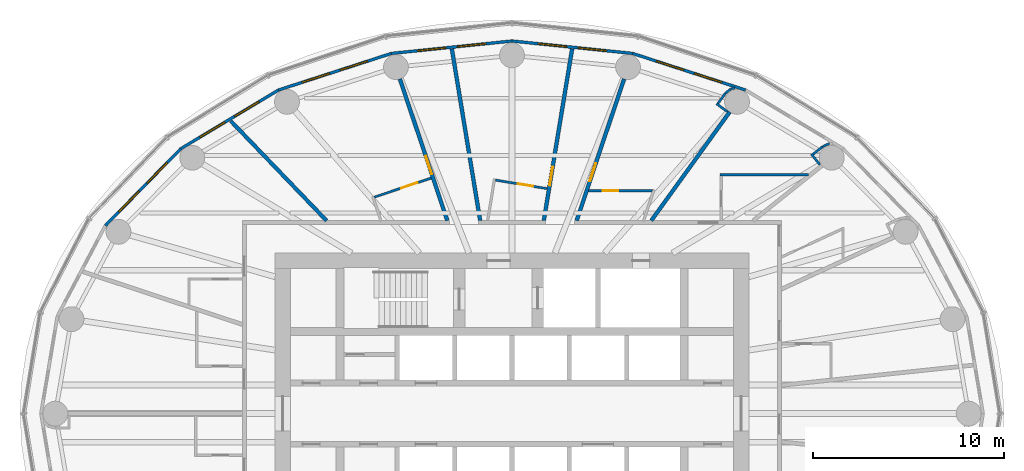
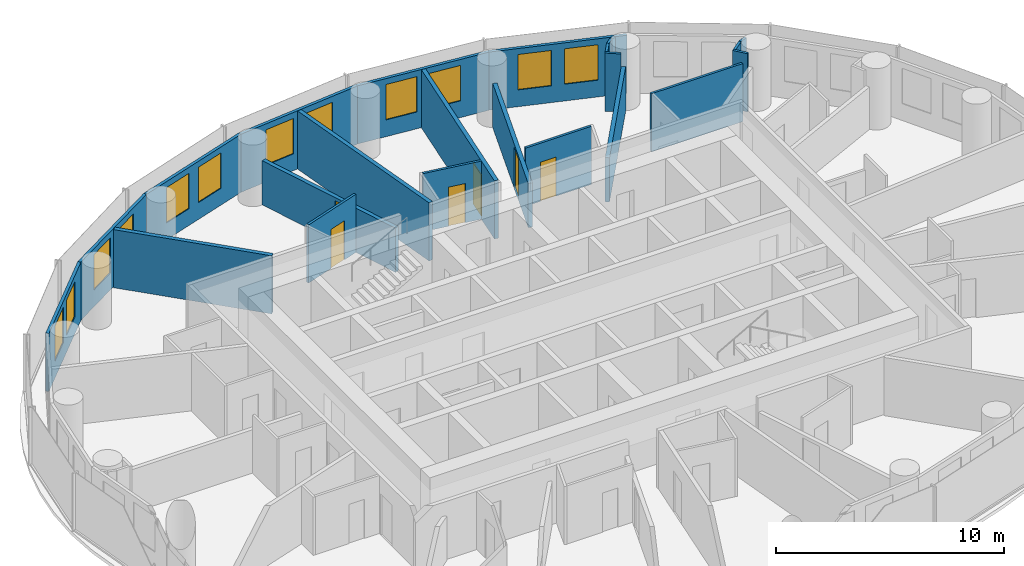
# One storey, part 11 of 13: 23 walls, 12 windows, 6 doors, 18 openings.
"""IFC4 building model written with IfcOpenShell, lengths in metres."""

from ifc_helpers import new_model, si_unit, direction, frame, frame_2d, origin, place, context, subcontext, project, spatial, rectangle, extrude, material, layer, layer_set, type_object, element, fill, save


model = new_model("IFC4")

# Units and contexts
model_context = context("Model", 3, precision=1e-05, world=origin(), true_north=direction((0.0, 1.0)))
body_context = subcontext(model_context, "Body", "Model", "MODEL_VIEW")
ifc_project = project(units=[si_unit("LENGTHUNIT", "METRE"), si_unit("AREAUNIT", "SQUARE_METRE"), si_unit("VOLUMEUNIT", "CUBIC_METRE"), si_unit("PLANEANGLEUNIT", "RADIAN"), si_unit("MASSUNIT", "GRAM", prefix="KILO")], contexts=[model_context])

# Site, building, storey
site_placement = place(None, origin())
site = spatial("IfcSite", under=ifc_project, at=site_placement, CompositionType="ELEMENT")
building_placement = place(site_placement, origin())
building = spatial("IfcBuilding", under=site, at=building_placement, Name="Hankou Lantern Tower", CompositionType="ELEMENT")
storey_placement = place(building_placement, frame((0.0, 0.0, 118.800048828125)))
storey = spatial("IfcBuildingStorey", under=building, at=storey_placement, Name="L30", CompositionType="ELEMENT", Elevation=118.800048828125)

# Wall, openings, windows
ifc_material_1 = material(Name="Aluminium spandrel panel on steel studs", Category="steel")
ifc_layer_1 = layer(ifc_material_1, 0.14990234375)
ifc_layer_set_1 = layer_set([ifc_layer_1], Name="Aluminium spandrel panel on steel studs")
wall_type_1 = type_object("IfcWallType", Name="EW1 INNER SKIN WALL 150", PredefinedType="ELEMENTEDWALL", material=ifc_layer_set_1)
wall_1_placement = place(storey_placement, frame((12.221435546875, 16.9345703125, 0.0), z_axis=(0.0, 0.0, 1.0), x_axis=(-0.951272691506, 0.308350881944, 0.0)))
wall_1 = element("IfcWall", 1, at=wall_1_placement, inside=storey, type_object=wall_type_1, Name="Inner skin R05-R06 L30", PredefinedType="ELEMENTEDWALL", context=body_context, shape_type="SweptSolid", body=[
    extrude(rectangle(XDim=6.210693359375, YDim=0.14990234375, at=frame_2d((3.10546875, 0.0))), origin(), (0.0, 0.0, 1.0), 3.119873046875),
])
opening_1_placement = place(wall_1_placement, frame((1.305419921875, 0.0, 0.89990234375)))
opening_1 = element("IfcOpeningElement", 2, at=opening_1_placement, cuts=wall_1, Name="Opening W2", PredefinedType="OPENING", context=body_context, shape_type="SweptSolid", body=[
    extrude(rectangle(XDim=1.5, YDim=1.89990234375, at=frame_2d((0.75, 0.949951171875))), frame((0.0, 0.0849609375, 0.0), z_axis=(0.0, -1.0, 0.0), x_axis=(1.0, 0.0, 0.0)), (0.0, 0.0, 1.0), 0.169921875),
])
opening_2_placement = place(wall_1_placement, frame((3.4052734375, 0.0, 0.89990234375)))
opening_2 = element("IfcOpeningElement", 3, at=opening_2_placement, cuts=wall_1, Name="Opening W2", PredefinedType="OPENING", context=body_context, shape_type="SweptSolid", body=[
    extrude(rectangle(XDim=1.5, YDim=1.89990234375, at=frame_2d((0.75, 0.949951171875))), frame((0.0, 0.0849609375, 0.0), z_axis=(0.0, -1.0, 0.0), x_axis=(1.0, 0.0, 0.0)), (0.0, 0.0, 1.0), 0.169921875),
])
ifc_material_2 = material(Name="Aluminium framed double glazed window", Category="aluminium")
window_type = type_object("IfcWindowType", Name="W2 GUEST ROOM WINDOW 1500X1900", PartitioningType="DOUBLE_PANEL_VERTICAL", PredefinedType="WINDOW", material=ifc_material_2)
window_1_placement = place(opening_1_placement, origin())
window_1 = element("IfcWindow", 4, at=window_1_placement, inside=storey, type_object=window_type, Name="Window R05.1 L30", OverallHeight=1.89990234375, OverallWidth=1.5, PartitioningType="SINGLE_PANEL", PredefinedType="WINDOW", context=body_context, shape_type="SweptSolid", body=[
    extrude(rectangle(XDim=1.5, YDim=1.89990234375, at=frame_2d((0.75, 0.949951171875))), frame((0.0, 0.030029296875, 0.0), z_axis=(0.0, -1.0, 0.0), x_axis=(1.0, 0.0, 0.0)), (0.0, 0.0, 1.0), 0.06005859375),
])
fill(opening_1, window_1)
window_2_placement = place(opening_2_placement, origin())
window_2 = element("IfcWindow", 5, at=window_2_placement, inside=storey, type_object=window_type, Name="Window R05.2 L30", OverallHeight=1.89990234375, OverallWidth=1.5, PartitioningType="SINGLE_PANEL", PredefinedType="WINDOW", context=body_context, shape_type="SweptSolid", body=[
    extrude(rectangle(XDim=1.5, YDim=1.89990234375, at=frame_2d((0.75, 0.949951171875))), frame((0.0, 0.030029296875, 0.0), z_axis=(0.0, -1.0, 0.0), x_axis=(1.0, 0.0, 0.0)), (0.0, 0.0, 1.0), 0.06005859375),
])
fill(opening_2, window_2)

wall_2_placement = place(storey_placement, frame((6.3134765625, 18.849609375, 0.0), z_axis=(0.0, 0.0, 1.0), x_axis=(-0.994735690163, 0.102473931887, 0.0)))
wall_2 = element("IfcWall", 6, at=wall_2_placement, inside=storey, type_object=wall_type_1, Name="Inner skin R06-R07 L30", PredefinedType="ELEMENTEDWALL", context=body_context, shape_type="SweptSolid", body=[
    extrude(rectangle(XDim=6.346923828125, YDim=0.14990234375, at=frame_2d((3.17333984375, 0.0))), origin(), (0.0, 0.0, 1.0), 3.119873046875),
])
opening_3_placement = place(wall_2_placement, frame((1.373291015625, 0.0, 0.89990234375)))
opening_3 = element("IfcOpeningElement", 7, at=opening_3_placement, cuts=wall_2, Name="Opening W2", PredefinedType="OPENING", context=body_context, shape_type="SweptSolid", body=[
    extrude(rectangle(XDim=1.5, YDim=1.89990234375, at=frame_2d((0.75, 0.949951171875))), frame((0.0, 0.0849609375, 0.0), z_axis=(0.0, -1.0, 0.0), x_axis=(1.0, 0.0, 0.0)), (0.0, 0.0, 1.0), 0.169921875),
])
opening_4_placement = place(wall_2_placement, frame((3.473388671875, 0.0, 0.89990234375)))
opening_4 = element("IfcOpeningElement", 8, at=opening_4_placement, cuts=wall_2, Name="Opening W2", PredefinedType="OPENING", context=body_context, shape_type="SweptSolid", body=[
    extrude(rectangle(XDim=1.5, YDim=1.89990234375, at=frame_2d((0.75, 0.949951171875))), frame((0.0, 0.0849609375, 0.0), z_axis=(0.0, -1.0, 0.0), x_axis=(1.0, 0.0, 0.0)), (0.0, 0.0, 1.0), 0.169921875),
])
window_3_placement = place(opening_3_placement, origin())
window_3 = element("IfcWindow", 9, at=window_3_placement, inside=storey, type_object=window_type, Name="Window R06.1 L30", OverallHeight=1.89990234375, OverallWidth=1.5, PartitioningType="SINGLE_PANEL", PredefinedType="WINDOW", context=body_context, shape_type="SweptSolid", body=[
    extrude(rectangle(XDim=1.5, YDim=1.89990234375, at=frame_2d((0.75, 0.949951171875))), frame((0.0, 0.030029296875, 0.0), z_axis=(0.0, -1.0, 0.0), x_axis=(1.0, 0.0, 0.0)), (0.0, 0.0, 1.0), 0.06005859375),
])
fill(opening_3, window_3)
window_4_placement = place(opening_4_placement, origin())
window_4 = element("IfcWindow", 10, at=window_4_placement, inside=storey, type_object=window_type, Name="Window R06.2 L30", OverallHeight=1.89990234375, OverallWidth=1.5, PartitioningType="SINGLE_PANEL", PredefinedType="WINDOW", context=body_context, shape_type="SweptSolid", body=[
    extrude(rectangle(XDim=1.5, YDim=1.89990234375, at=frame_2d((0.75, 0.949951171875))), frame((0.0, 0.030029296875, 0.0), z_axis=(0.0, -1.0, 0.0), x_axis=(1.0, 0.0, 0.0)), (0.0, 0.0, 1.0), 0.06005859375),
])
fill(opening_4, window_4)

wall_3_placement = place(storey_placement, frame((0.0, 19.5, 0.0), z_axis=(0.0, 0.0, 1.0), x_axis=(-0.994735690163, -0.102473931887, 0.0)))
wall_3 = element("IfcWall", 11, at=wall_3_placement, inside=storey, type_object=wall_type_1, Name="Inner skin R07-R08 L30", PredefinedType="ELEMENTEDWALL", context=body_context, shape_type="SweptSolid", body=[
    extrude(rectangle(XDim=6.346923828125, YDim=0.14990234375, at=frame_2d((3.17333984375, 0.0))), origin(), (0.0, 0.0, 1.0), 3.119873046875),
])
opening_5_placement = place(wall_3_placement, frame((1.373291015625, 0.0, 0.89990234375)))
opening_5 = element("IfcOpeningElement", 12, at=opening_5_placement, cuts=wall_3, Name="Opening W2", PredefinedType="OPENING", context=body_context, shape_type="SweptSolid", body=[
    extrude(rectangle(XDim=1.5, YDim=1.89990234375, at=frame_2d((0.75, 0.949951171875))), frame((0.0, 0.0849609375, 0.0), z_axis=(0.0, -1.0, 0.0), x_axis=(1.0, 0.0, 0.0)), (0.0, 0.0, 1.0), 0.169921875),
])
opening_6_placement = place(wall_3_placement, frame((3.473388671875, 0.0, 0.89990234375)))
opening_6 = element("IfcOpeningElement", 13, at=opening_6_placement, cuts=wall_3, Name="Opening W2", PredefinedType="OPENING", context=body_context, shape_type="SweptSolid", body=[
    extrude(rectangle(XDim=1.5, YDim=1.89990234375, at=frame_2d((0.75, 0.949951171875))), frame((0.0, 0.0849609375, 0.0), z_axis=(0.0, -1.0, 0.0), x_axis=(1.0, 0.0, 0.0)), (0.0, 0.0, 1.0), 0.169921875),
])
window_5_placement = place(opening_5_placement, origin())
window_5 = element("IfcWindow", 14, at=window_5_placement, inside=storey, type_object=window_type, Name="Window R07.1 L30", OverallHeight=1.89990234375, OverallWidth=1.5, PartitioningType="SINGLE_PANEL", PredefinedType="WINDOW", context=body_context, shape_type="SweptSolid", body=[
    extrude(rectangle(XDim=1.5, YDim=1.89990234375, at=frame_2d((0.75, 0.949951171875))), frame((0.0, 0.030029296875, 0.0), z_axis=(0.0, -1.0, 0.0), x_axis=(1.0, 0.0, 0.0)), (0.0, 0.0, 1.0), 0.06005859375),
])
fill(opening_5, window_5)
window_6_placement = place(opening_6_placement, origin())
window_6 = element("IfcWindow", 15, at=window_6_placement, inside=storey, type_object=window_type, Name="Window R07.2 L30", OverallHeight=1.89990234375, OverallWidth=1.5, PartitioningType="SINGLE_PANEL", PredefinedType="WINDOW", context=body_context, shape_type="SweptSolid", body=[
    extrude(rectangle(XDim=1.5, YDim=1.89990234375, at=frame_2d((0.75, 0.949951171875))), frame((0.0, 0.030029296875, 0.0), z_axis=(0.0, -1.0, 0.0), x_axis=(1.0, 0.0, 0.0)), (0.0, 0.0, 1.0), 0.06005859375),
])
fill(opening_6, window_6)

wall_4_placement = place(storey_placement, frame((-6.3134765625, 18.849609375, 0.0), z_axis=(0.0, 0.0, 1.0), x_axis=(-0.951272691506, -0.308350881944, 0.0)))
wall_4 = element("IfcWall", 16, at=wall_4_placement, inside=storey, type_object=wall_type_1, Name="Inner skin R08-R09 L30", PredefinedType="ELEMENTEDWALL", context=body_context, shape_type="SweptSolid", body=[
    extrude(rectangle(XDim=6.210693359375, YDim=0.14990234375, at=frame_2d((3.10546875, 0.0))), origin(), (0.0, 0.0, 1.0), 3.119873046875),
])
opening_7_placement = place(wall_4_placement, frame((1.305419921875, 0.0, 0.89990234375)))
opening_7 = element("IfcOpeningElement", 17, at=opening_7_placement, cuts=wall_4, Name="Opening W2", PredefinedType="OPENING", context=body_context, shape_type="SweptSolid", body=[
    extrude(rectangle(XDim=1.5, YDim=1.89990234375, at=frame_2d((0.75, 0.949951171875))), frame((0.0, 0.0849609375, 0.0), z_axis=(0.0, -1.0, 0.0), x_axis=(1.0, 0.0, 0.0)), (0.0, 0.0, 1.0), 0.169921875),
])
opening_8_placement = place(wall_4_placement, frame((3.4052734375, 0.0, 0.89990234375)))
opening_8 = element("IfcOpeningElement", 18, at=opening_8_placement, cuts=wall_4, Name="Opening W2", PredefinedType="OPENING", context=body_context, shape_type="SweptSolid", body=[
    extrude(rectangle(XDim=1.5, YDim=1.89990234375, at=frame_2d((0.75, 0.949951171875))), frame((0.0, 0.0849609375, 0.0), z_axis=(0.0, -1.0, 0.0), x_axis=(1.0, 0.0, 0.0)), (0.0, 0.0, 1.0), 0.169921875),
])
window_7_placement = place(opening_7_placement, origin())
window_7 = element("IfcWindow", 19, at=window_7_placement, inside=storey, type_object=window_type, Name="Window R08.1 L30", OverallHeight=1.89990234375, OverallWidth=1.5, PartitioningType="SINGLE_PANEL", PredefinedType="WINDOW", context=body_context, shape_type="SweptSolid", body=[
    extrude(rectangle(XDim=1.5, YDim=1.89990234375, at=frame_2d((0.75, 0.949951171875))), frame((0.0, 0.030029296875, 0.0), z_axis=(0.0, -1.0, 0.0), x_axis=(1.0, 0.0, 0.0)), (0.0, 0.0, 1.0), 0.06005859375),
])
fill(opening_7, window_7)
window_8_placement = place(opening_8_placement, origin())
window_8 = element("IfcWindow", 20, at=window_8_placement, inside=storey, type_object=window_type, Name="Window R08.2 L30", OverallHeight=1.89990234375, OverallWidth=1.5, PartitioningType="SINGLE_PANEL", PredefinedType="WINDOW", context=body_context, shape_type="SweptSolid", body=[
    extrude(rectangle(XDim=1.5, YDim=1.89990234375, at=frame_2d((0.75, 0.949951171875))), frame((0.0, 0.030029296875, 0.0), z_axis=(0.0, -1.0, 0.0), x_axis=(1.0, 0.0, 0.0)), (0.0, 0.0, 1.0), 0.06005859375),
])
fill(opening_8, window_8)

wall_5_placement = place(storey_placement, frame((-12.221435546875, 16.9345703125, 0.0), z_axis=(0.0, 0.0, 1.0), x_axis=(-0.857308573723, -0.514802884044, 0.0)))
wall_5 = element("IfcWall", 21, at=wall_5_placement, inside=storey, type_object=wall_type_1, Name="Inner skin R09-R10 L30", PredefinedType="ELEMENTEDWALL", context=body_context, shape_type="SweptSolid", body=[
    extrude(rectangle(XDim=5.961181640625, YDim=0.14990234375, at=frame_2d((2.98046875, 0.0))), origin(), (0.0, 0.0, 1.0), 3.119873046875),
])
opening_9_placement = place(wall_5_placement, frame((1.1806640625, 0.0, 0.89990234375)))
opening_9 = element("IfcOpeningElement", 22, at=opening_9_placement, cuts=wall_5, Name="Opening W2", PredefinedType="OPENING", context=body_context, shape_type="SweptSolid", body=[
    extrude(rectangle(XDim=1.5, YDim=1.89990234375, at=frame_2d((0.75, 0.949951171875))), frame((0.0, 0.0849609375, 0.0), z_axis=(0.0, -1.0, 0.0), x_axis=(1.0, 0.0, 0.0)), (0.0, 0.0, 1.0), 0.169921875),
])
opening_10_placement = place(wall_5_placement, frame((3.280517578125, 0.0, 0.89990234375)))
opening_10 = element("IfcOpeningElement", 23, at=opening_10_placement, cuts=wall_5, Name="Opening W2", PredefinedType="OPENING", context=body_context, shape_type="SweptSolid", body=[
    extrude(rectangle(XDim=1.5, YDim=1.89990234375, at=frame_2d((0.75, 0.949951171875))), frame((0.0, 0.0849609375, 0.0), z_axis=(0.0, -1.0, 0.0), x_axis=(1.0, 0.0, 0.0)), (0.0, 0.0, 1.0), 0.169921875),
])
window_9_placement = place(opening_9_placement, origin())
window_9 = element("IfcWindow", 24, at=window_9_placement, inside=storey, type_object=window_type, Name="Window R09.1 L30", OverallHeight=1.89990234375, OverallWidth=1.5, PartitioningType="SINGLE_PANEL", PredefinedType="WINDOW", context=body_context, shape_type="SweptSolid", body=[
    extrude(rectangle(XDim=1.5, YDim=1.89990234375, at=frame_2d((0.75, 0.949951171875))), frame((0.0, 0.030029296875, 0.0), z_axis=(0.0, -1.0, 0.0), x_axis=(1.0, 0.0, 0.0)), (0.0, 0.0, 1.0), 0.06005859375),
])
fill(opening_9, window_9)
window_10_placement = place(opening_10_placement, origin())
window_10 = element("IfcWindow", 25, at=window_10_placement, inside=storey, type_object=window_type, Name="Window R09.2 L30", OverallHeight=1.89990234375, OverallWidth=1.5, PartitioningType="SINGLE_PANEL", PredefinedType="WINDOW", context=body_context, shape_type="SweptSolid", body=[
    extrude(rectangle(XDim=1.5, YDim=1.89990234375, at=frame_2d((0.75, 0.949951171875))), frame((0.0, 0.030029296875, 0.0), z_axis=(0.0, -1.0, 0.0), x_axis=(1.0, 0.0, 0.0)), (0.0, 0.0, 1.0), 0.06005859375),
])
fill(opening_10, window_10)

wall_6_placement = place(storey_placement, frame((-17.33203125, 13.86572265625, 0.0), z_axis=(0.0, 0.0, 1.0), x_axis=(-0.700136650834, -0.714008872605, 0.0)))
wall_6 = element("IfcWall", 26, at=wall_6_placement, inside=storey, type_object=wall_type_1, Name="Inner skin R10-R11 L30", PredefinedType="ELEMENTEDWALL", context=body_context, shape_type="SweptSolid", body=[
    extrude(rectangle(XDim=5.6494140625, YDim=0.14990234375, at=frame_2d((2.82470703125, 0.0))), origin(), (0.0, 0.0, 1.0), 3.119873046875),
])
opening_11_placement = place(wall_6_placement, frame((1.024658203125, 0.0, 0.89990234375)))
opening_11 = element("IfcOpeningElement", 27, at=opening_11_placement, cuts=wall_6, Name="Opening W2", PredefinedType="OPENING", context=body_context, shape_type="SweptSolid", body=[
    extrude(rectangle(XDim=1.5, YDim=1.89990234375, at=frame_2d((0.75, 0.949951171875))), frame((0.0, 0.0849609375, 0.0), z_axis=(0.0, -1.0, 0.0), x_axis=(1.0, 0.0, 0.0)), (0.0, 0.0, 1.0), 0.169921875),
])
opening_12_placement = place(wall_6_placement, frame((3.12451171875, 0.0, 0.89990234375)))
opening_12 = element("IfcOpeningElement", 28, at=opening_12_placement, cuts=wall_6, Name="Opening W2", PredefinedType="OPENING", context=body_context, shape_type="SweptSolid", body=[
    extrude(rectangle(XDim=1.5, YDim=1.89990234375, at=frame_2d((0.75, 0.949951171875))), frame((0.0, 0.0849609375, 0.0), z_axis=(0.0, -1.0, 0.0), x_axis=(1.0, 0.0, 0.0)), (0.0, 0.0, 1.0), 0.169921875),
])
window_11_placement = place(opening_11_placement, origin())
window_11 = element("IfcWindow", 29, at=window_11_placement, inside=storey, type_object=window_type, Name="Window R10.1 L30", OverallHeight=1.89990234375, OverallWidth=1.5, PartitioningType="SINGLE_PANEL", PredefinedType="WINDOW", context=body_context, shape_type="SweptSolid", body=[
    extrude(rectangle(XDim=1.5, YDim=1.89990234375, at=frame_2d((0.75, 0.949951171875))), frame((0.0, 0.030029296875, 0.0), z_axis=(0.0, -1.0, 0.0), x_axis=(1.0, 0.0, 0.0)), (0.0, 0.0, 1.0), 0.06005859375),
])
fill(opening_11, window_11)
window_12_placement = place(opening_12_placement, origin())
window_12 = element("IfcWindow", 30, at=window_12_placement, inside=storey, type_object=window_type, Name="Window R10.2 L30", OverallHeight=1.89990234375, OverallWidth=1.5, PartitioningType="SINGLE_PANEL", PredefinedType="WINDOW", context=body_context, shape_type="SweptSolid", body=[
    extrude(rectangle(XDim=1.5, YDim=1.89990234375, at=frame_2d((0.75, 0.949951171875))), frame((0.0, 0.030029296875, 0.0), z_axis=(0.0, -1.0, 0.0), x_axis=(1.0, 0.0, 0.0)), (0.0, 0.0, 1.0), 0.06005859375),
])
fill(opening_12, window_12)

# Walls
ifc_material_3 = material(Name="Masonry lightweight concrete block", Category="masonry")
ifc_layer_2 = layer(ifc_material_3, 0.199951171875)
ifc_layer_set_2 = layer_set([ifc_layer_2], Name="Masonry lightweight concrete block")
wall_type_2 = type_object("IfcWallType", Name="IW1 GUEST ROOM PARTY WALL 200", PredefinedType="PARTITIONING", material=ifc_layer_set_2)
wall_7_placement = place(storey_placement, frame((7.2890625, 10.10009765625, 0.0), z_axis=(0.0, 0.0, 1.0), x_axis=(0.585217367024, 0.81087645997, 0.0)))
element("IfcWall", 31, at=wall_7_placement, inside=storey, type_object=wall_type_2, Name="Party wall R05", PredefinedType="PARTITIONING", context=body_context, shape_type="SweptSolid", body=[
    extrude(rectangle(XDim=7.01611328125, YDim=0.199951171875, at=frame_2d((3.508056640625, 0.0))), origin(), (0.0, 0.0, 1.0), 2.369873046875),
])
wall_8_placement = place(storey_placement, frame((-9.706298828125, 10.10009765625, 0.0), z_axis=(0.0, 0.0, 1.0), x_axis=(-0.692944801824, 0.720990639069, 0.0)))
element("IfcWall", 32, at=wall_8_placement, inside=storey, type_object=wall_type_2, Name="Party wall R09-R10", PredefinedType="PARTITIONING", context=body_context, shape_type="SweptSolid", body=[
    extrude(rectangle(XDim=7.23388671875, YDim=0.199951171875, at=frame_2d((3.616943359375, 0.0))), origin(), (0.0, 0.0, 1.0), 3.119873046875),
])

# Wall, opening, door
ifc_material_4 = material(Name="Masonry lightweight concrete block", Category="masonry")
ifc_layer_3 = layer(ifc_material_4, 0.199951171875)
ifc_layer_set_3 = layer_set([ifc_layer_3], Name="Masonry lightweight concrete block")
wall_type_3 = type_object("IfcWallType", Name="IW2 CORRIDOR WALL 200", PredefinedType="PARTITIONING", material=ifc_layer_set_3)
wall_9_placement = place(storey_placement, frame((3.3828125, 10.10009765625, 0.0), z_axis=(0.0, 0.0, 1.0), x_axis=(0.317603705574, 0.948223542318, 0.0)))
wall_9 = element("IfcWall", 33, at=wall_9_placement, inside=storey, type_object=wall_type_3, Name="Corridor spur wall R06", PredefinedType="PARTITIONING", context=body_context, shape_type="SweptSolid", body=[
    extrude(rectangle(XDim=7.822998046875, YDim=0.199951171875, at=frame_2d((3.91162109375, 0.0))), origin(), (0.0, 0.0, 1.0), 2.369873046875),
])
opening_13_placement = place(wall_9_placement, frame((2.168212890625, 0.0, 0.0)))
opening_13 = element("IfcOpeningElement", 34, at=opening_13_placement, cuts=wall_9, Name="Opening D1", PredefinedType="OPENING", context=body_context, shape_type="SweptSolid", body=[
    extrude(rectangle(XDim=1.0, YDim=2.199951171875, at=frame_2d((0.5, 1.10009765625))), frame((0.0, 0.10986328125, 0.0), z_axis=(0.0, -1.0, 0.0), x_axis=(1.0, 0.0, 0.0)), (0.0, 0.0, 1.0), 0.219970703125),
])
ifc_material_5 = material(Name="Steel door leaf", Category="steel")
door_type_1 = type_object("IfcDoorType", Name="D1 GUEST ROOM DOOR 1000X2200", OperationType="SINGLE_SWING_LEFT", PredefinedType="DOOR", material=ifc_material_5)
door_1_placement = place(opening_13_placement, origin())
door_1 = element("IfcDoor", 35, at=door_1_placement, inside=storey, type_object=door_type_1, Name="Guest room door 3020", OperationType="SINGLE_SWING_LEFT", OverallHeight=2.199951171875, OverallWidth=1.0, PredefinedType="DOOR", context=body_context, shape_type="SweptSolid", body=[
    extrude(rectangle(XDim=1.0, YDim=2.199951171875, at=frame_2d((0.5, 1.10009765625))), frame((0.0, 0.02490234375, 0.0), z_axis=(0.0, -1.0, 0.0), x_axis=(1.0, 0.0, 0.0)), (0.0, 0.0, 1.0), 0.050048828125),
])
fill(opening_13, door_1)

wall_10_placement = place(storey_placement, frame((1.665283203125, 10.10009765625, 0.0), z_axis=(0.0, 0.0, 1.0), x_axis=(0.162660519103, 0.986682094459, 0.0)))
wall_10 = element("IfcWall", 36, at=wall_10_placement, inside=storey, type_object=wall_type_3, Name="Corridor spur wall R06-R07", PredefinedType="PARTITIONING", context=body_context, shape_type="SweptSolid", body=[
    extrude(rectangle(XDim=9.110595703125, YDim=0.199951171875, at=frame_2d((4.55517578125, 0.0))), origin(), (0.0, 0.0, 1.0), 3.119873046875),
])
opening_14_placement = place(wall_10_placement, frame((1.860107421875, 0.0, 0.0)))
opening_14 = element("IfcOpeningElement", 37, at=opening_14_placement, cuts=wall_10, Name="Opening D1", PredefinedType="OPENING", context=body_context, shape_type="SweptSolid", body=[
    extrude(rectangle(XDim=1.0, YDim=2.199951171875, at=frame_2d((0.5, 1.10009765625))), frame((0.0, 0.10986328125, 0.0), z_axis=(0.0, -1.0, 0.0), x_axis=(1.0, 0.0, 0.0)), (0.0, 0.0, 1.0), 0.219970703125),
])
door_2_placement = place(opening_14_placement, origin())
door_2 = element("IfcDoor", 38, at=door_2_placement, inside=storey, type_object=door_type_1, Name="Guest room door 3002", OperationType="SINGLE_SWING_LEFT", OverallHeight=2.199951171875, OverallWidth=1.0, PredefinedType="DOOR", context=body_context, shape_type="SweptSolid", body=[
    extrude(rectangle(XDim=1.0, YDim=2.199951171875, at=frame_2d((0.5, 1.10009765625))), frame((0.0, 0.02490234375, 0.0), z_axis=(0.0, -1.0, 0.0), x_axis=(1.0, 0.0, 0.0)), (0.0, 0.0, 1.0), 0.050048828125),
])
fill(opening_14, door_2)

# Wall
wall_11_placement = place(storey_placement, frame((-1.665283203125, 10.10009765625, 0.0), z_axis=(0.0, 0.0, 1.0), x_axis=(-0.162660519103, 0.986682094459, 0.0)))
element("IfcWall", 39, at=wall_11_placement, inside=storey, type_object=wall_type_3, Name="Corridor spur wall R07-R08", PredefinedType="PARTITIONING", context=body_context, shape_type="SweptSolid", body=[
    extrude(rectangle(XDim=9.110595703125, YDim=0.199951171875, at=frame_2d((4.55517578125, 0.0))), origin(), (0.0, 0.0, 1.0), 3.119873046875),
])

# Wall, opening, door
wall_12_placement = place(storey_placement, frame((-3.3828125, 10.10009765625, 0.0), z_axis=(0.0, 0.0, 1.0), x_axis=(-0.317603705574, 0.948223542318, 0.0)))
wall_12 = element("IfcWall", 40, at=wall_12_placement, inside=storey, type_object=wall_type_3, Name="Corridor spur wall R08", PredefinedType="PARTITIONING", context=body_context, shape_type="SweptSolid", body=[
    extrude(rectangle(XDim=7.822998046875, YDim=0.199951171875, at=frame_2d((3.91162109375, 0.0))), origin(), (0.0, 0.0, 1.0), 2.369873046875),
])
opening_15_placement = place(wall_12_placement, frame((2.56005859375, 0.0, 0.0)))
opening_15 = element("IfcOpeningElement", 41, at=opening_15_placement, cuts=wall_12, Name="Opening D1", PredefinedType="OPENING", context=body_context, shape_type="SweptSolid", body=[
    extrude(rectangle(XDim=1.0, YDim=2.199951171875, at=frame_2d((0.5, 1.10009765625))), frame((0.0, 0.10986328125, 0.0), z_axis=(0.0, -1.0, 0.0), x_axis=(1.0, 0.0, 0.0)), (0.0, 0.0, 1.0), 0.219970703125),
])
door_3_placement = place(opening_15_placement, origin())
door_3 = element("IfcDoor", 42, at=door_3_placement, inside=storey, type_object=door_type_1, Name="Guest room door 3004", OperationType="SINGLE_SWING_LEFT", OverallHeight=2.199951171875, OverallWidth=1.0, PredefinedType="DOOR", context=body_context, shape_type="SweptSolid", body=[
    extrude(rectangle(XDim=1.0, YDim=2.199951171875, at=frame_2d((0.5, 1.10009765625))), frame((0.0, 0.02490234375, 0.0), z_axis=(0.0, -1.0, 0.0), x_axis=(1.0, 0.0, 0.0)), (0.0, 0.0, 1.0), 0.050048828125),
])
fill(opening_15, door_3)

ifc_material_6 = material(Name="Masonry lightweight concrete block", Category="masonry")
ifc_layer_4 = layer(ifc_material_6, 0.1201171875)
ifc_layer_set_4 = layer_set([ifc_layer_4], Name="Masonry lightweight concrete block")
wall_type_4 = type_object("IfcWallType", Name="IW3 BATHROOM WALL 120", PredefinedType="PARTITIONING", material=ifc_layer_set_4)
wall_13_placement = place(storey_placement, frame((1.83984375, 11.77392578125, 0.0), z_axis=(0.0, 0.0, 1.0), x_axis=(-0.986676602341, 0.162693830222, 0.0)))
wall_13 = element("IfcWall", 43, at=wall_13_placement, inside=storey, type_object=wall_type_4, Name="Box wall 3002 1", PredefinedType="PARTITIONING", context=body_context, shape_type="SweptSolid", body=[
    extrude(rectangle(XDim=2.740234375, YDim=0.1201171875, at=frame_2d((1.3701171875, 0.0))), origin(), (0.0, 0.0, 1.0), 3.119873046875),
])
opening_16_placement = place(wall_13_placement, frame((0.75, 0.0, 0.0)))
opening_16 = element("IfcOpeningElement", 44, at=opening_16_placement, cuts=wall_13, Name="Opening D3", PredefinedType="OPENING", context=body_context, shape_type="SweptSolid", body=[
    extrude(rectangle(XDim=0.800048828125, YDim=2.10009765625, at=frame_2d((0.39990234375, 1.050048828125))), frame((0.0, 0.070068359375, 0.0), z_axis=(0.0, -1.0, 0.0), x_axis=(1.0, 0.0, 0.0)), (0.0, 0.0, 1.0), 0.14013671875),
])
ifc_material_7 = material(Name="Timber door leaf", Category="wood")
door_type_2 = type_object("IfcDoorType", Name="D3 BATHROOM DOOR 800X2100", OperationType="SINGLE_SWING_LEFT", PredefinedType="DOOR", material=ifc_material_7)
door_4_placement = place(opening_16_placement, origin())
door_4 = element("IfcDoor", 45, at=door_4_placement, inside=storey, type_object=door_type_2, Name="En-suite bathroom 3002 door", OperationType="SINGLE_SWING_LEFT", OverallHeight=2.10009765625, OverallWidth=0.800048828125, PredefinedType="DOOR", context=body_context, shape_type="SweptSolid", body=[
    extrude(rectangle(XDim=0.800048828125, YDim=2.10009765625, at=frame_2d((0.39990234375, 1.050048828125))), frame((0.0, 0.02490234375, 0.0), z_axis=(0.0, -1.0, 0.0), x_axis=(1.0, 0.0, 0.0)), (0.0, 0.0, 1.0), 0.050048828125),
])
fill(opening_16, door_4)

wall_14_placement = place(storey_placement, frame((-4.233642578125, 12.324951171875, 0.0), z_axis=(0.0, 0.0, 1.0), x_axis=(-0.948239154858, -0.317557089663, 0.0)))
wall_14 = element("IfcWall", 46, at=wall_14_placement, inside=storey, type_object=wall_type_4, Name="Box wall 3004 1", PredefinedType="PARTITIONING", context=body_context, shape_type="SweptSolid", body=[
    extrude(rectangle(XDim=3.139892578125, YDim=0.1201171875, at=frame_2d((1.56982421875, 0.0))), origin(), (0.0, 0.0, 1.0), 3.119873046875),
])
opening_17_placement = place(wall_14_placement, frame((0.75, 0.0, 0.0)))
opening_17 = element("IfcOpeningElement", 47, at=opening_17_placement, cuts=wall_14, Name="Opening D26", PredefinedType="OPENING", context=body_context, shape_type="SweptSolid", body=[
    extrude(rectangle(XDim=0.89990234375, YDim=2.10009765625, at=frame_2d((0.449951171875, 1.050048828125))), frame((0.0, 0.070068359375, 0.0), z_axis=(0.0, -1.0, 0.0), x_axis=(1.0, 0.0, 0.0)), (0.0, 0.0, 1.0), 0.14013671875),
])
ifc_material_8 = material(Name="Timber door leaf", Category="wood")
door_type_3 = type_object("IfcDoorType", Name="D26 ACCESSIBLE BATHROOM DOOR 900X2100", OperationType="SLIDING_TO_LEFT", PredefinedType="DOOR", material=ifc_material_8)
door_5_placement = place(opening_17_placement, origin())
door_5 = element("IfcDoor", 48, at=door_5_placement, inside=storey, type_object=door_type_3, Name="Accessible bathroom 3004 door", OperationType="SLIDING_TO_LEFT", OverallHeight=2.10009765625, OverallWidth=0.89990234375, PredefinedType="DOOR", context=body_context, shape_type="SweptSolid", body=[
    extrude(rectangle(XDim=0.89990234375, YDim=2.10009765625, at=frame_2d((0.449951171875, 1.050048828125))), frame((0.0, 0.02490234375, 0.0), z_axis=(0.0, -1.0, 0.0), x_axis=(1.0, 0.0, 0.0)), (0.0, 0.0, 1.0), 0.050048828125),
])
fill(opening_17, door_5)

# Wall
wall_15_placement = place(storey_placement, frame((15.52490234375, 12.5, 0.0), z_axis=(0.0, 0.0, 1.0), x_axis=(-1.0, 0.0, 0.0)))
element("IfcWall", 49, at=wall_15_placement, inside=storey, type_object=wall_type_4, Name="Box wall 3019 1", PredefinedType="PARTITIONING", context=body_context, shape_type="SweptSolid", body=[
    extrude(rectangle(XDim=4.639892578125, YDim=0.1201171875, at=frame_2d((2.31982421875, 0.0))), origin(), (0.0, 0.0, 1.0), 3.119873046875),
])

# Wall, opening, door
wall_16_placement = place(storey_placement, frame((4.01123046875, 11.661376953125, 0.0), z_axis=(0.0, 0.0, 1.0), x_axis=(1.0, 0.0, 0.0)))
wall_16 = element("IfcWall", 50, at=wall_16_placement, inside=storey, type_object=wall_type_4, Name="Box wall 3020 1", PredefinedType="PARTITIONING", context=body_context, shape_type="SweptSolid", body=[
    extrude(rectangle(XDim=3.340087890625, YDim=0.1201171875, at=frame_2d((1.669921875, 0.0))), origin(), (0.0, 0.0, 1.0), 3.119873046875),
])
opening_18_placement = place(wall_16_placement, frame((0.75, 0.0, 0.0)))
opening_18 = element("IfcOpeningElement", 51, at=opening_18_placement, cuts=wall_16, Name="Opening D3", PredefinedType="OPENING", context=body_context, shape_type="SweptSolid", body=[
    extrude(rectangle(XDim=0.800048828125, YDim=2.10009765625, at=frame_2d((0.39990234375, 1.050048828125))), frame((0.0, 0.070068359375, 0.0), z_axis=(0.0, -1.0, 0.0), x_axis=(1.0, 0.0, 0.0)), (0.0, 0.0, 1.0), 0.14013671875),
])
door_6_placement = place(opening_18_placement, origin())
door_6 = element("IfcDoor", 52, at=door_6_placement, inside=storey, type_object=door_type_2, Name="En-suite bathroom 3020 door", OperationType="SINGLE_SWING_LEFT", OverallHeight=2.10009765625, OverallWidth=0.800048828125, PredefinedType="DOOR", context=body_context, shape_type="SweptSolid", body=[
    extrude(rectangle(XDim=0.800048828125, YDim=2.10009765625, at=frame_2d((0.39990234375, 1.050048828125))), frame((0.0, 0.02490234375, 0.0), z_axis=(0.0, -1.0, 0.0), x_axis=(1.0, 0.0, 0.0)), (0.0, 0.0, 1.0), 0.050048828125),
])
fill(opening_18, door_6)

# Walls
ifc_material_9 = material(Name="Masonry lightweight concrete block", Category="masonry")
ifc_layer_5 = layer(ifc_material_9, 0.1201171875)
ifc_layer_set_5 = layer_set([ifc_layer_5], Name="Masonry lightweight concrete block")
wall_type_5 = type_object("IfcWallType", Name="IW4 PARTITION 120", PredefinedType="PARTITIONING", material=ifc_layer_set_5)
wall_17_placement = place(storey_placement, frame((16.116943359375, 13.021728515625, 0.0), z_axis=(0.0, 0.0, 1.0), x_axis=(-0.62465344249, 0.780902091677, 0.0)))
element("IfcWall", 53, at=wall_17_placement, inside=storey, type_object=wall_type_5, Name="Column casing R04 return", PredefinedType="PARTITIONING", context=body_context, shape_type="SweptSolid", body=[
    extrude(rectangle(XDim=0.715576171875, YDim=0.1201171875, at=frame_2d((0.35791015625, 0.0))), origin(), (0.0, 0.0, 1.0), 3.119873046875),
])
wall_18_placement = place(storey_placement, frame((15.754150390625, 13.5712890625, 0.0), z_axis=(0.0, 0.0, 1.0), x_axis=(0.780905453553, 0.624649239663, 0.0)))
element("IfcWall", 54, at=wall_18_placement, inside=storey, type_object=wall_type_5, Name="Column casing R04", PredefinedType="PARTITIONING", context=body_context, shape_type="SweptSolid", body=[
    extrude(rectangle(XDim=0.64990234375, YDim=0.1201171875, at=frame_2d((0.324951171875, 0.0))), origin(), (0.0, 0.0, 1.0), 3.119873046875),
])
wall_19_placement = place(storey_placement, frame((16.26171875, 13.977294921875, 0.0), z_axis=(0.0, 0.0, 1.0), x_axis=(0.915985403703, 0.401211590314, 0.0)))
element("IfcWall", 55, at=wall_19_placement, inside=storey, type_object=wall_type_5, Name="Column casing R04", PredefinedType="PARTITIONING", context=body_context, shape_type="SweptSolid", body=[
    extrude(rectangle(XDim=0.391357421875, YDim=0.1201171875, at=frame_2d((0.19580078125, 0.0))), origin(), (0.0, 0.0, 1.0), 3.119873046875),
])
wall_20_placement = place(storey_placement, frame((11.27880859375, 15.799072265625, 0.0), z_axis=(0.0, 0.0, 1.0), x_axis=(-0.810912957127, 0.585166793285, 0.0)))
element("IfcWall", 56, at=wall_20_placement, inside=storey, type_object=wall_type_5, Name="Column casing R05 return", PredefinedType="PARTITIONING", context=body_context, shape_type="SweptSolid", body=[
    extrude(rectangle(XDim=0.7158203125, YDim=0.1201171875, at=frame_2d((0.35791015625, 0.0))), origin(), (0.0, 0.0, 1.0), 3.119873046875),
])
wall_21_placement = place(storey_placement, frame((10.781982421875, 16.2314453125, 0.0), z_axis=(0.0, 0.0, 1.0), x_axis=(0.585175102182, 0.810906961239, 0.0)))
element("IfcWall", 57, at=wall_21_placement, inside=storey, type_object=wall_type_5, Name="Column casing R05", PredefinedType="PARTITIONING", context=body_context, shape_type="SweptSolid", body=[
    extrude(rectangle(XDim=0.64990234375, YDim=0.1201171875, at=frame_2d((0.324951171875, 0.0))), origin(), (0.0, 0.0, 1.0), 3.119873046875),
])
wall_22_placement = place(storey_placement, frame((11.162353515625, 16.758544921875, 0.0), z_axis=(0.0, 0.0, 1.0), x_axis=(0.775178428527, 0.63174235567, 0.0)))
element("IfcWall", 58, at=wall_22_placement, inside=storey, type_object=wall_type_5, Name="Column casing R05", PredefinedType="PARTITIONING", context=body_context, shape_type="SweptSolid", body=[
    extrude(rectangle(XDim=0.3916015625, YDim=0.1201171875, at=frame_2d((0.19580078125, 0.0))), origin(), (0.0, 0.0, 1.0), 3.119873046875),
])
wall_23_placement = place(storey_placement, frame((11.4658203125, 17.005859375, 0.0), z_axis=(0.0, 0.0, 1.0), x_axis=(0.987228877621, 0.15930832744, 0.0)))
element("IfcWall", 59, at=wall_23_placement, inside=storey, type_object=wall_type_5, Name="Column casing R05", PredefinedType="PARTITIONING", context=body_context, shape_type="SweptSolid", body=[
    extrude(rectangle(XDim=0.202392578125, YDim=0.1201171875, at=frame_2d((0.10107421875, 0.0))), origin(), (0.0, 0.0, 1.0), 3.119873046875),
])

save(model, "model.ifc")
